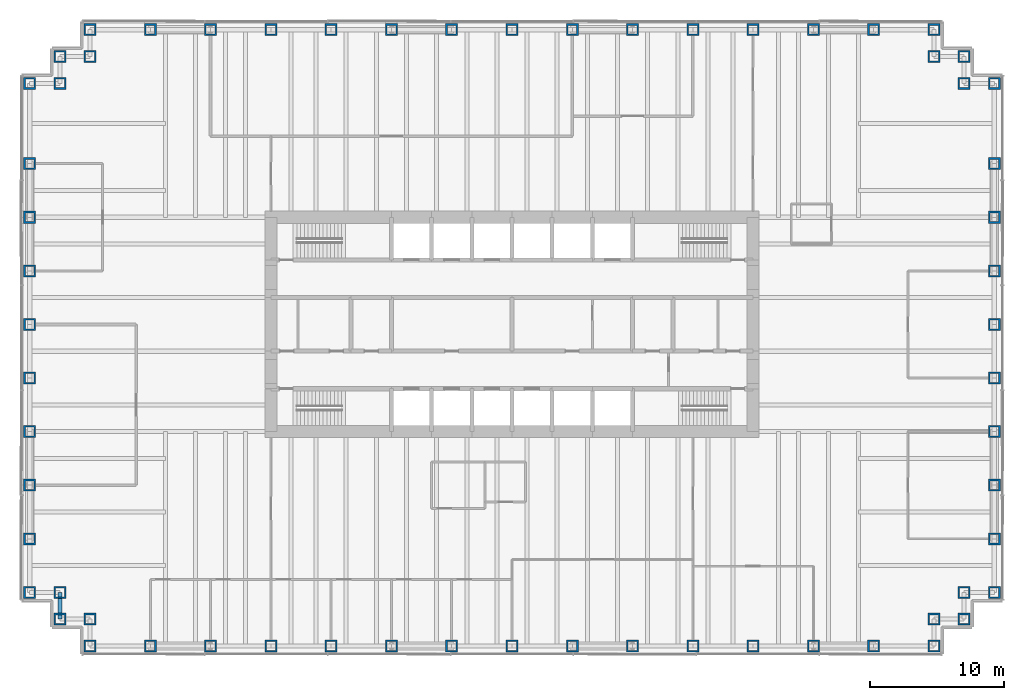
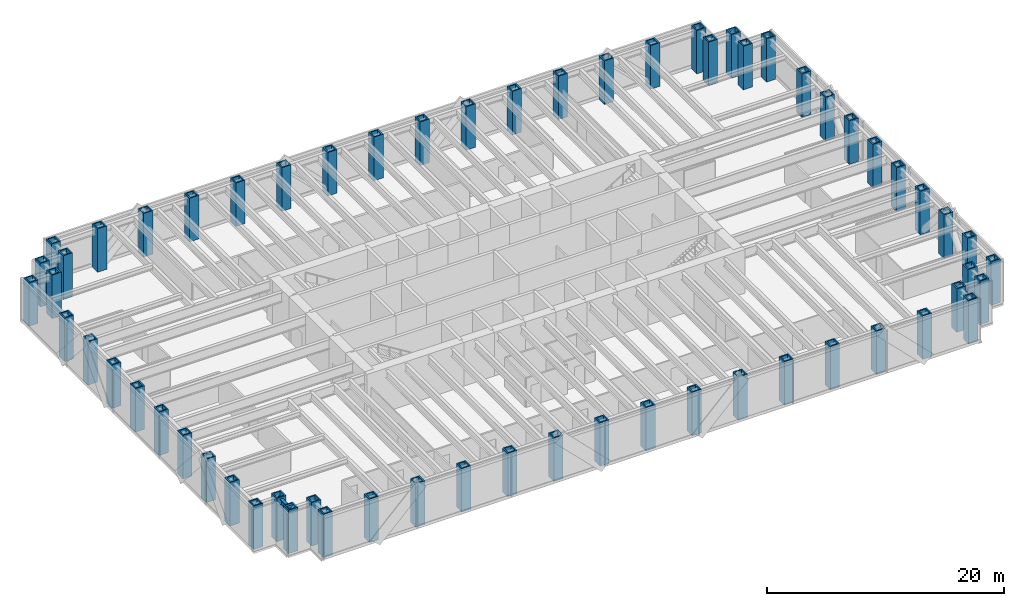
# One storey, part 1 of 13: 62 columns, 1 beam.
"""IFC4 building model written with IfcOpenShell, lengths in metres."""

from ifc_helpers import new_model, si_unit, direction, frame, origin, origin_2d, place, context, subcontext, project, spatial, hollow_rectangle, i_section, extrude, material, material_profile, profile_set, type_object, element, save


model = new_model("IFC4")

# Units and contexts
model_context = context("Model", 3, precision=1e-05, world=origin(), true_north=direction((0.0, 1.0)))
body_context = subcontext(model_context, "Body", "Model", "MODEL_VIEW")
ifc_project = project(units=[si_unit("LENGTHUNIT", "METRE"), si_unit("AREAUNIT", "SQUARE_METRE"), si_unit("VOLUMEUNIT", "CUBIC_METRE"), si_unit("PLANEANGLEUNIT", "RADIAN"), si_unit("MASSUNIT", "GRAM", prefix="KILO")], contexts=[model_context])

# Site, building, storey
site_placement = place(None, origin())
site = spatial("IfcSite", under=ifc_project, at=site_placement, CompositionType="ELEMENT")
building_placement = place(site_placement, origin())
building = spatial("IfcBuilding", under=site, at=building_placement, Name="Rheinbord Bourse Tower", CompositionType="ELEMENT")
storey_placement = place(building_placement, frame((0.0, 0.0, 68.0)))
storey = spatial("IfcBuildingStorey", under=building, at=storey_placement, Name="L14", CompositionType="ELEMENT", Elevation=68.0)

# Columns
ifc_material_1 = material(Name="Steel S460M", Category="steel")
ifc_material_profile_1 = material_profile(ifc_material_1, hollow_rectangle(XDim=0.89990234375, YDim=0.89990234375, WallThickness=0.1201171875, at=origin_2d()), Name="BOX 900x900x120")
ifc_profile_set_1 = profile_set([ifc_material_profile_1], Name="Steel S460M")
column_type = type_object("IfcColumnType", Name="TUBE COLUMN BOX 900x900x120", PredefinedType="COLUMN", material=ifc_profile_set_1)
for number, where, z_axis, x_axis, name in (
    (1, (4.5, 0.0, 0.0), (0.0, 0.0, 1.0), (0.0, 1.0, 0.0), "Column SW-E L14"),
    (2, (9.0, 0.0, 0.0), (0.0, 0.0, 1.0), (0.0, 1.0, 0.0), "Column S-9 L14"),
    (3, (13.5, 0.0, 0.0), (0.0, 0.0, 1.0), (0.0, 1.0, 0.0), "Column S-13.5 L14"),
    (4, (18.0, 0.0, 0.0), (0.0, 0.0, 1.0), (0.0, 1.0, 0.0), "Column S-18 L14"),
    (5, (22.5, 0.0, 0.0), (0.0, 0.0, 1.0), (0.0, 1.0, 0.0), "Column S-22.5 L14"),
    (6, (27.0, 0.0, 0.0), (0.0, 0.0, 1.0), (0.0, 1.0, 0.0), "Column S-27 L14"),
    (7, (31.5, 0.0, 0.0), (0.0, 0.0, 1.0), (0.0, 1.0, 0.0), "Column S-31.5 L14"),
    (8, (36.0, 0.0, 0.0), (0.0, 0.0, 1.0), (0.0, 1.0, 0.0), "Column S-36 L14"),
    (9, (40.5, 0.0, 0.0), (0.0, 0.0, 1.0), (0.0, 1.0, 0.0), "Column S-40.5 L14"),
    (10, (45.0, 0.0, 0.0), (0.0, 0.0, 1.0), (0.0, 1.0, 0.0), "Column S-45 L14"),
    (11, (49.5, 0.0, 0.0), (0.0, 0.0, 1.0), (0.0, 1.0, 0.0), "Column S-49.5 L14"),
    (12, (54.0, 0.0, 0.0), (0.0, 0.0, 1.0), (0.0, 1.0, 0.0), "Column S-54 L14"),
    (13, (58.5, 0.0, 0.0), (0.0, 0.0, 1.0), (0.0, 1.0, 0.0), "Column S-58.5 L14"),
    (14, (63.0, 0.0, 0.0), (0.0, 0.0, 1.0), (0.0, 1.0, 0.0), "Column S-63 L14"),
    (15, (67.5, 0.0, 0.0), (0.0, 0.0, 1.0), (0.0, 1.0, 0.0), "Column SE-E L14"),
    (16, (67.5, 2.0, 0.0), (0.0, 0.0, 1.0), (0.0, 1.0, 0.0), "Column SE-D L14"),
    (17, (69.75, 2.0, 0.0), (0.0, 0.0, 1.0), (1.0, 0.0, 0.0), "Column SE-C L14"),
    (18, (69.75, 4.0, 0.0), (0.0, 0.0, 1.0), (1.0, 0.0, 0.0), "Column SE-B L14"),
    (19, (72.0, 4.0, 0.0), (0.0, 0.0, 1.0), (1.0, 0.0, 0.0), "Column SE-A L14"),
    (20, (72.0, 8.0, 0.0), (0.0, 0.0, 1.0), (1.0, 0.0, 0.0), "Column E-8 L14"),
    (21, (72.0, 12.0, 0.0), (0.0, 0.0, 1.0), (1.0, 0.0, 0.0), "Column E-12 L14"),
    (22, (72.0, 16.0, 0.0), (0.0, 0.0, 1.0), (1.0, 0.0, 0.0), "Column E-16 L14"),
    (23, (72.0, 20.0, 0.0), (0.0, 0.0, 1.0), (1.0, 0.0, 0.0), "Column E-20 L14"),
    (24, (72.0, 24.0, 0.0), (0.0, 0.0, 1.0), (1.0, 0.0, 0.0), "Column E-24 L14"),
    (25, (72.0, 28.0, 0.0), (0.0, 0.0, 1.0), (1.0, 0.0, 0.0), "Column E-28 L14"),
    (26, (72.0, 32.0, 0.0), (0.0, 0.0, 1.0), (1.0, 0.0, 0.0), "Column E-32 L14"),
    (27, (72.0, 36.0, 0.0), (0.0, 0.0, 1.0), (1.0, 0.0, 0.0), "Column E-36 L14"),
    (28, (72.0, 42.0, 0.0), (0.0, 0.0, 1.0), (1.0, 0.0, 0.0), "Column NE-A L14"),
    (29, (69.75, 42.0, 0.0), (0.0, 0.0, 1.0), (1.0, 0.0, 0.0), "Column NE-B L14"),
    (30, (69.75, 44.0, 0.0), (0.0, 0.0, 1.0), (1.0, 0.0, 0.0), "Column NE-C L14"),
    (31, (67.5, 44.0, 0.0), (0.0, 0.0, 1.0), (0.0, 1.0, 0.0), "Column NE-D L14"),
    (32, (67.5, 46.0, 0.0), (0.0, 0.0, 1.0), (0.0, 1.0, 0.0), "Column NE-E L14"),
    (33, (63.0, 46.0, 0.0), (0.0, 0.0, 1.0), (0.0, 1.0, 0.0), "Column N-63 L14"),
    (34, (58.5, 46.0, 0.0), (0.0, 0.0, 1.0), (0.0, 1.0, 0.0), "Column N-58.5 L14"),
    (35, (54.0, 46.0, 0.0), (0.0, 0.0, 1.0), (0.0, 1.0, 0.0), "Column N-54 L14"),
    (36, (49.5, 46.0, 0.0), (0.0, 0.0, 1.0), (0.0, 1.0, 0.0), "Column N-49.5 L14"),
    (37, (45.0, 46.0, 0.0), (0.0, 0.0, 1.0), (0.0, 1.0, 0.0), "Column N-45 L14"),
    (38, (40.5, 46.0, 0.0), (0.0, 0.0, 1.0), (0.0, 1.0, 0.0), "Column N-40.5 L14"),
    (39, (36.0, 46.0, 0.0), (0.0, 0.0, 1.0), (0.0, 1.0, 0.0), "Column N-36 L14"),
    (40, (31.5, 46.0, 0.0), (0.0, 0.0, 1.0), (0.0, 1.0, 0.0), "Column N-31.5 L14"),
    (41, (27.0, 46.0, 0.0), (0.0, 0.0, 1.0), (0.0, 1.0, 0.0), "Column N-27 L14"),
    (42, (22.5, 46.0, 0.0), (0.0, 0.0, 1.0), (0.0, 1.0, 0.0), "Column N-22.5 L14"),
    (43, (18.0, 46.0, 0.0), (0.0, 0.0, 1.0), (0.0, 1.0, 0.0), "Column N-18 L14"),
    (44, (13.5, 46.0, 0.0), (0.0, 0.0, 1.0), (0.0, 1.0, 0.0), "Column N-13.5 L14"),
    (45, (9.0, 46.0, 0.0), (0.0, 0.0, 1.0), (0.0, 1.0, 0.0), "Column N-9 L14"),
    (46, (4.5, 46.0, 0.0), (0.0, 0.0, 1.0), (0.0, 1.0, 0.0), "Column NW-E L14"),
    (47, (4.5, 44.0, 0.0), (0.0, 0.0, 1.0), (0.0, 1.0, 0.0), "Column NW-D L14"),
    (48, (2.25, 44.0, 0.0), (0.0, 0.0, 1.0), (1.0, 0.0, 0.0), "Column NW-C L14"),
    (49, (2.25, 42.0, 0.0), (0.0, 0.0, 1.0), (1.0, 0.0, 0.0), "Column NW-B L14"),
    (50, (0.0, 42.0, 0.0), (0.0, 0.0, 1.0), (1.0, 0.0, 0.0), "Column NW-A L14"),
    (51, (0.0, 36.0, 0.0), (0.0, 0.0, 1.0), (1.0, 0.0, 0.0), "Column W-36 L14"),
    (52, (0.0, 32.0, 0.0), (0.0, 0.0, 1.0), (1.0, 0.0, 0.0), "Column W-32 L14"),
    (53, (0.0, 28.0, 0.0), (0.0, 0.0, 1.0), (1.0, 0.0, 0.0), "Column W-28 L14"),
    (54, (0.0, 24.0, 0.0), (0.0, 0.0, 1.0), (1.0, 0.0, 0.0), "Column W-24 L14"),
    (55, (0.0, 20.0, 0.0), (0.0, 0.0, 1.0), (1.0, 0.0, 0.0), "Column W-20 L14"),
    (56, (0.0, 16.0, 0.0), (0.0, 0.0, 1.0), (1.0, 0.0, 0.0), "Column W-16 L14"),
    (57, (0.0, 12.0, 0.0), (0.0, 0.0, 1.0), (1.0, 0.0, 0.0), "Column W-12 L14"),
    (58, (0.0, 8.0, 0.0), (0.0, 0.0, 1.0), (1.0, 0.0, 0.0), "Column W-8 L14"),
    (59, (0.0, 4.0, 0.0), (0.0, 0.0, 1.0), (1.0, 0.0, 0.0), "Column SW-A L14"),
    (60, (2.25, 4.0, 0.0), (0.0, 0.0, 1.0), (1.0, 0.0, 0.0), "Column SW-B L14"),
    (61, (2.25, 2.0, 0.0), (0.0, 0.0, 1.0), (1.0, 0.0, 0.0), "Column SW-C L14"),
    (62, (4.5, 2.0, 0.0), (0.0, 0.0, 1.0), (0.0, 1.0, 0.0), "Column SW-D L14"),
):
    element("IfcColumn", number, at=place(storey_placement, frame(where, z_axis=z_axis, x_axis=x_axis)), inside=storey, type_object=column_type, Name=name, PredefinedType="COLUMN", context=body_context, shape_type="SweptSolid", body=[
        extrude(hollow_rectangle(XDim=0.89990234375, YDim=0.89990234375, WallThickness=0.1201171875, at=origin_2d()), origin(), (0.0, 0.0, 1.0), 4.5),
    ])

# Beam
ifc_material_2 = material(Name="Steel S460", Category="steel")
ifc_material_profile_2 = material_profile(ifc_material_2, i_section(OverallWidth=0.304931640625, OverallDepth=0.6201171875, WebThickness=0.02099609375, FlangeThickness=0.0400390625, at=origin_2d()), Name="HEM 600")
ifc_profile_set_2 = profile_set([ifc_material_profile_2], Name="Steel S460")
beam_type = type_object("IfcBeamType", Name="SPANDREL HEM 600", PredefinedType="SPANDREL", material=ifc_profile_set_2)
beam_placement = place(storey_placement, frame((2.25, 4.0, 4.010009765625), z_axis=(0.0, -1.0, 0.0), x_axis=(1.0, 0.0, 0.0)))
element("IfcBeam", 63, at=beam_placement, inside=storey, type_object=beam_type, Name="Spandrel SW-B-SW-C under L15", PredefinedType="SPANDREL", context=body_context, shape_type="SweptSolid", body=[
    extrude(i_section(OverallWidth=0.304931640625, OverallDepth=0.6201171875, WebThickness=0.02099609375, FlangeThickness=0.0400390625, at=origin_2d()), origin(), (0.0, 0.0, 1.0), 2.0),
])

save(model, "model.ifc")
